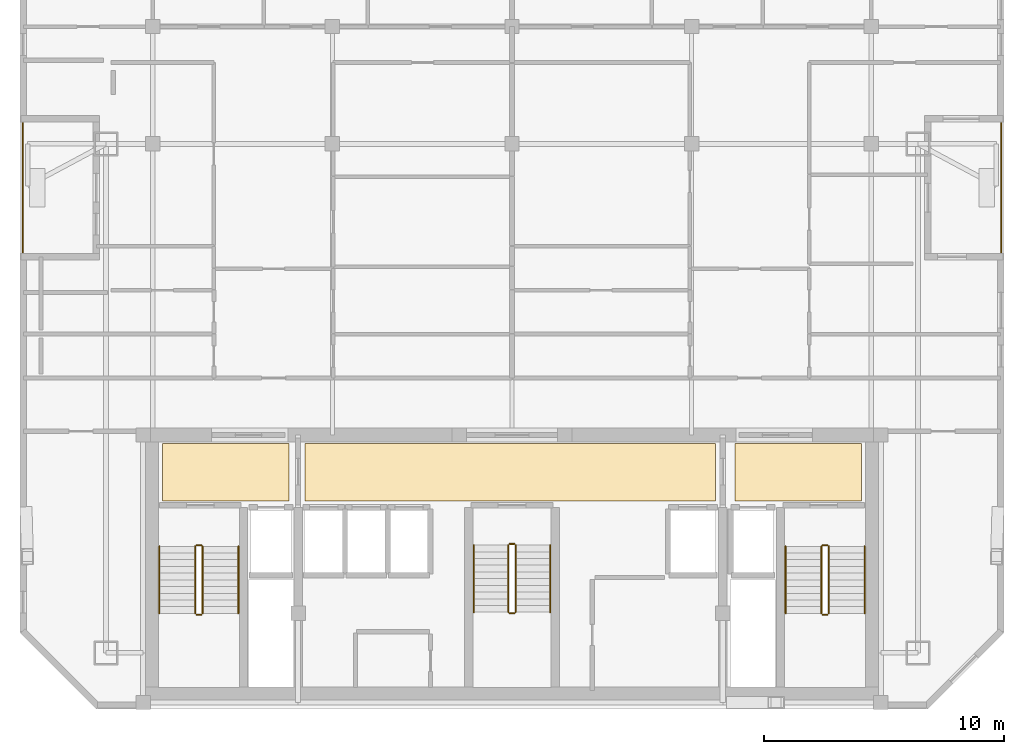
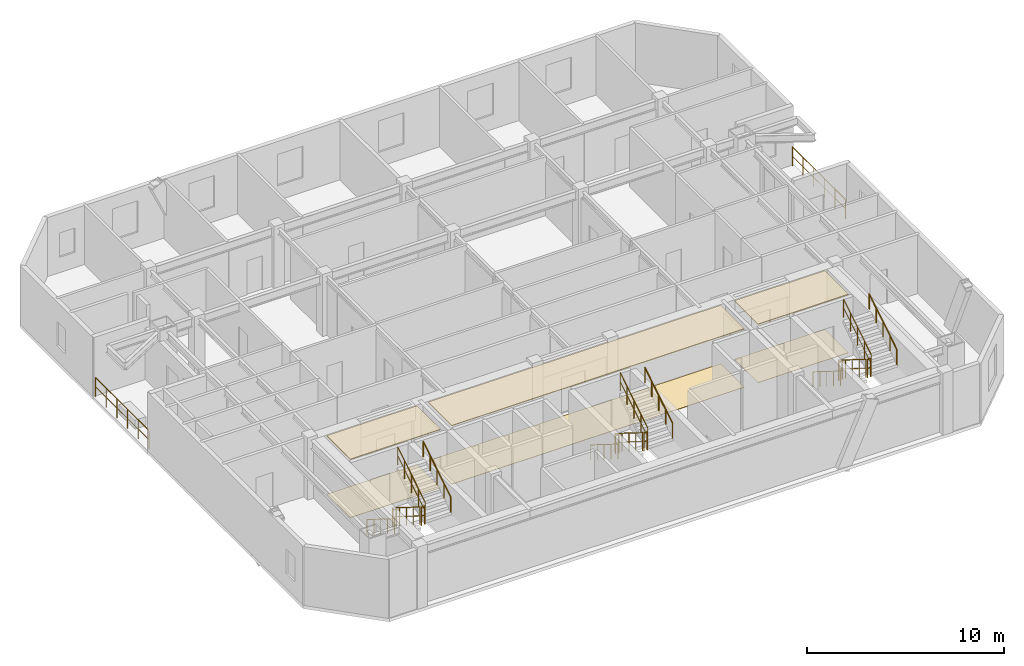
# One storey, part 7 of 7: 20 railings, 6 coverings.
"""IFC4 building model written with IfcOpenShell, lengths in metres."""

from ifc_helpers import new_model, si_unit, direction, frame, origin, origin_2d, place, context, subcontext, project, spatial, polyline, circle, outline, extrude, material, layer, layer_set, type_object, element, save


model = new_model("IFC4")

# Units and contexts
model_context = context("Model", 3, precision=1e-05, world=origin(), true_north=direction((0.0, 1.0)))
body_context = subcontext(model_context, "Body", "Model", "MODEL_VIEW")
ifc_project = project(units=[si_unit("LENGTHUNIT", "METRE"), si_unit("AREAUNIT", "SQUARE_METRE"), si_unit("VOLUMEUNIT", "CUBIC_METRE"), si_unit("PLANEANGLEUNIT", "RADIAN"), si_unit("MASSUNIT", "GRAM", prefix="KILO")], contexts=[model_context])

# Site, building, storey
site_placement = place(None, origin())
site = spatial("IfcSite", under=ifc_project, at=site_placement, CompositionType="ELEMENT")
building_placement = place(site_placement, origin())
building = spatial("IfcBuilding", under=site, at=building_placement, Name="Ventersveld Concourse Tower", CompositionType="ELEMENT")
storey_placement = place(building_placement, frame((0.0, 0.0, 272.14990234375)))
storey = spatial("IfcBuildingStorey", under=building, at=storey_placement, Name="L67", CompositionType="ELEMENT", Elevation=272.14990234375)

# Coverings
ifc_material_1 = material(Name="Mineral-fibre acoustic ceiling tile", Category="gypsum")
ifc_layer_1 = layer(ifc_material_1, 0.0400390625)
ifc_layer_set_1 = layer_set([ifc_layer_1], Name="Mineral-fibre acoustic ceiling tile")
covering_type_1 = type_object("IfcCoveringType", Name="COV-CEIL-ACOUSTIC", PredefinedType="CEILING", material=ifc_layer_set_1)
covering_1_placement = place(storey_placement, frame((0.0, 0.0, 3.610107421875)))
element("IfcCovering", 1, at=covering_1_placement, inside=storey, type_object=covering_type_1, Name="L67 North Lift Lobby Acoustic Ceiling", PredefinedType="CEILING", context=body_context, shape_type="SweptSolid", body=[
    extrude(outline(polyline([(20.10009765625, 8.699951171875), (37.25, 8.699951171875), (37.25, 11.10009765625), (20.10009765625, 11.10009765625), (20.10009765625, 8.699951171875)])), origin(), (0.0, 0.0, 1.0), 0.0400390625),
])
covering_2_placement = place(storey_placement, frame((0.0, 0.0, 3.610107421875)))
element("IfcCovering", 2, at=covering_2_placement, inside=storey, type_object=covering_type_1, Name="L67 West Firefighting Lobby Acoustic Ceiling", PredefinedType="CEILING", context=body_context, shape_type="SweptSolid", body=[
    extrude(outline(polyline([(14.14990234375, 8.699951171875), (19.449951171875, 8.699951171875), (19.449951171875, 11.10009765625), (14.14990234375, 11.10009765625), (14.14990234375, 8.699951171875)])), origin(), (0.0, 0.0, 1.0), 0.0400390625),
])
covering_3_placement = place(storey_placement, frame((0.0, 0.0, 3.610107421875)))
element("IfcCovering", 3, at=covering_3_placement, inside=storey, type_object=covering_type_1, Name="L67 East Firefighting Lobby Acoustic Ceiling", PredefinedType="CEILING", context=body_context, shape_type="SweptSolid", body=[
    extrude(outline(polyline([(38.050048828125, 8.699951171875), (43.35009765625, 8.699951171875), (43.35009765625, 11.10009765625), (38.050048828125, 11.10009765625), (38.050048828125, 8.699951171875)])), origin(), (0.0, 0.0, 1.0), 0.0400390625),
])
ifc_material_2 = material(Name="Polished Highveld granite terrazzo", Category="masonry")
ifc_layer_2 = layer(ifc_material_2, 0.02001953125)
ifc_layer_set_2 = layer_set([ifc_layer_2], Name="Polished Highveld granite terrazzo")
covering_type_2 = type_object("IfcCoveringType", Name="COV-FLOOR-TERRAZZO", PredefinedType="FLOORING", material=ifc_layer_set_2)
covering_4_placement = place(storey_placement, origin())
element("IfcCovering", 4, at=covering_4_placement, inside=storey, type_object=covering_type_2, Name="L67 North Lift Lobby Terrazzo Flooring", PredefinedType="FLOORING", context=body_context, shape_type="SweptSolid", body=[
    extrude(outline(polyline([(20.10009765625, 8.699951171875), (37.25, 8.699951171875), (37.25, 11.10009765625), (20.10009765625, 11.10009765625), (20.10009765625, 8.699951171875)])), origin(), (0.0, 0.0, 1.0), 0.02001953125),
])
covering_5_placement = place(storey_placement, origin())
element("IfcCovering", 5, at=covering_5_placement, inside=storey, type_object=covering_type_2, Name="L67 West Firefighting Lobby Terrazzo Flooring", PredefinedType="FLOORING", context=body_context, shape_type="SweptSolid", body=[
    extrude(outline(polyline([(14.14990234375, 8.699951171875), (19.449951171875, 8.699951171875), (19.449951171875, 11.10009765625), (14.14990234375, 11.10009765625), (14.14990234375, 8.699951171875)])), origin(), (0.0, 0.0, 1.0), 0.02001953125),
])
covering_6_placement = place(storey_placement, origin())
element("IfcCovering", 6, at=covering_6_placement, inside=storey, type_object=covering_type_2, Name="L67 East Firefighting Lobby Terrazzo Flooring", PredefinedType="FLOORING", context=body_context, shape_type="SweptSolid", body=[
    extrude(outline(polyline([(38.050048828125, 8.699951171875), (43.35009765625, 8.699951171875), (43.35009765625, 11.10009765625), (38.050048828125, 11.10009765625), (38.050048828125, 8.699951171875)])), origin(), (0.0, 0.0, 1.0), 0.02001953125),
])

# Railings
ifc_material_3 = material(Name="Brushed stainless steel 316", Category="steel")
railing_type_1 = type_object("IfcRailingType", Name="GD-BAL-115", PredefinedType="GUARDRAIL", material=ifc_material_3)
railing_1_placement = place(storey_placement, frame((15.530029296875, 6.800048828125, 0.175048828125)))
element("IfcRailing", 7, at=railing_1_placement, inside=storey, type_object=railing_type_1, Name="L67 ST-01 stair guard 1", PredefinedType="GUARDRAIL", context=body_context, shape_type="SweptSolid", body=[
    extrude(circle(Radius=0.02392578125, at=origin_2d()), frame((0.0, 0.0, 1.1259765625), z_axis=(0.0, -0.848002457836, 0.529992293815), x_axis=(1.0, 0.0, 0.0)), (0.0, 0.0, 1.0), 3.302001953125),
    extrude(circle(Radius=0.01611328125, at=origin_2d()), frame((0.0, 0.0, 0.574951171875), z_axis=(0.0, -0.848002457836, 0.529992293815), x_axis=(1.0, 0.0, 0.0)), (0.0, 0.0, 1.0), 3.302001953125),
    extrude(circle(Radius=0.02099609375, at=origin_2d()), origin(), (0.0, 0.0, 1.0), 1.101806640625),
    extrude(circle(Radius=0.02099609375, at=origin_2d()), frame((0.0, -0.699951171875, 0.4375)), (0.0, 0.0, 1.0), 1.101806640625),
    extrude(circle(Radius=0.02099609375, at=origin_2d()), frame((0.0, -1.39990234375, 0.875)), (0.0, 0.0, 1.0), 1.101806640625),
    extrude(circle(Radius=0.02099609375, at=origin_2d()), frame((0.0, -2.10009765625, 1.3125)), (0.0, 0.0, 1.0), 1.101806640625),
    extrude(circle(Radius=0.02099609375, at=origin_2d()), frame((0.0, -2.800048828125, 1.75)), (0.0, 0.0, 1.0), 1.101806640625),
])
railing_2_placement = place(storey_placement, frame((15.580078125, 3.949951171875, 1.925048828125)))
element("IfcRailing", 8, at=railing_2_placement, inside=storey, type_object=railing_type_1, Name="L67 ST-01 stair guard 2", PredefinedType="GUARDRAIL", context=body_context, shape_type="SweptSolid", body=[
    extrude(circle(Radius=0.02392578125, at=origin_2d()), frame((0.0, 0.0, 1.1259765625), z_axis=(1.0, 0.0, 0.0), x_axis=(0.0, 1.0, 0.0)), (0.0, 0.0, 1.0), 0.199951171875),
    extrude(circle(Radius=0.01611328125, at=origin_2d()), frame((0.0, 0.0, 0.574951171875), z_axis=(1.0, 0.0, 0.0), x_axis=(0.0, 1.0, 0.0)), (0.0, 0.0, 1.0), 0.199951171875),
    extrude(circle(Radius=0.02099609375, at=origin_2d()), origin(), (0.0, 0.0, 1.0), 1.101806640625),
    extrude(circle(Radius=0.02099609375, at=origin_2d()), frame((0.199951171875, 0.0, 0.0)), (0.0, 0.0, 1.0), 1.101806640625),
])
railing_3_placement = place(storey_placement, frame((15.830078125, 4.0, 2.10009765625)))
element("IfcRailing", 9, at=railing_3_placement, inside=storey, type_object=railing_type_1, Name="L67 ST-01 stair guard 3", PredefinedType="GUARDRAIL", context=body_context, shape_type="SweptSolid", body=[
    extrude(circle(Radius=0.02392578125, at=origin_2d()), frame((0.0, 0.0, 1.1259765625), z_axis=(0.0, 0.848002457836, 0.529992293815), x_axis=(-1.0, 0.0, 0.0)), (0.0, 0.0, 1.0), 3.302001953125),
    extrude(circle(Radius=0.01611328125, at=origin_2d()), frame((0.0, 0.0, 0.574951171875), z_axis=(0.0, 0.848002457836, 0.529992293815), x_axis=(-1.0, 0.0, 0.0)), (0.0, 0.0, 1.0), 3.302001953125),
    extrude(circle(Radius=0.02099609375, at=origin_2d()), origin(), (0.0, 0.0, 1.0), 1.101806640625),
    extrude(circle(Radius=0.02099609375, at=origin_2d()), frame((0.0, 0.699951171875, 0.4375)), (0.0, 0.0, 1.0), 1.101806640625),
    extrude(circle(Radius=0.02099609375, at=origin_2d()), frame((0.0, 1.39990234375, 0.875)), (0.0, 0.0, 1.0), 1.101806640625),
    extrude(circle(Radius=0.02099609375, at=origin_2d()), frame((0.0, 2.10009765625, 1.3125)), (0.0, 0.0, 1.0), 1.101806640625),
    extrude(circle(Radius=0.02099609375, at=origin_2d()), frame((0.0, 2.800048828125, 1.75)), (0.0, 0.0, 1.0), 1.101806640625),
])
railing_4_placement = place(storey_placement, frame((15.580078125, 6.85009765625, 0.0)))
element("IfcRailing", 10, at=railing_4_placement, inside=storey, type_object=railing_type_1, Name="L67 ST-01 stair guard 4", PredefinedType="GUARDRAIL", context=body_context, shape_type="SweptSolid", body=[
    extrude(circle(Radius=0.02392578125, at=origin_2d()), frame((0.0, 0.0, 1.1259765625), z_axis=(1.0, 0.0, 0.0), x_axis=(0.0, 1.0, 0.0)), (0.0, 0.0, 1.0), 0.199951171875),
    extrude(circle(Radius=0.01611328125, at=origin_2d()), frame((0.0, 0.0, 0.574951171875), z_axis=(1.0, 0.0, 0.0), x_axis=(0.0, 1.0, 0.0)), (0.0, 0.0, 1.0), 0.199951171875),
    extrude(circle(Radius=0.02099609375, at=origin_2d()), origin(), (0.0, 0.0, 1.0), 1.101806640625),
    extrude(circle(Radius=0.02099609375, at=origin_2d()), frame((0.199951171875, 0.0, 0.0)), (0.0, 0.0, 1.0), 1.101806640625),
])
railing_5_placement = place(storey_placement, frame((41.669921875, 6.800048828125, 0.175048828125)))
element("IfcRailing", 11, at=railing_5_placement, inside=storey, type_object=railing_type_1, Name="L67 ST-02 stair guard 1", PredefinedType="GUARDRAIL", context=body_context, shape_type="SweptSolid", body=[
    extrude(circle(Radius=0.02392578125, at=origin_2d()), frame((0.0, 0.0, 1.1259765625), z_axis=(0.0, -0.848002457836, 0.529992293815), x_axis=(1.0, 0.0, 0.0)), (0.0, 0.0, 1.0), 3.302001953125),
    extrude(circle(Radius=0.01611328125, at=origin_2d()), frame((0.0, 0.0, 0.574951171875), z_axis=(0.0, -0.848002457836, 0.529992293815), x_axis=(1.0, 0.0, 0.0)), (0.0, 0.0, 1.0), 3.302001953125),
    extrude(circle(Radius=0.02099609375, at=origin_2d()), origin(), (0.0, 0.0, 1.0), 1.101806640625),
    extrude(circle(Radius=0.02099609375, at=origin_2d()), frame((0.0, -0.699951171875, 0.4375)), (0.0, 0.0, 1.0), 1.101806640625),
    extrude(circle(Radius=0.02099609375, at=origin_2d()), frame((0.0, -1.39990234375, 0.875)), (0.0, 0.0, 1.0), 1.101806640625),
    extrude(circle(Radius=0.02099609375, at=origin_2d()), frame((0.0, -2.10009765625, 1.3125)), (0.0, 0.0, 1.0), 1.101806640625),
    extrude(circle(Radius=0.02099609375, at=origin_2d()), frame((0.0, -2.800048828125, 1.75)), (0.0, 0.0, 1.0), 1.101806640625),
])
railing_6_placement = place(storey_placement, frame((41.719970703125, 3.949951171875, 1.925048828125)))
element("IfcRailing", 12, at=railing_6_placement, inside=storey, type_object=railing_type_1, Name="L67 ST-02 stair guard 2", PredefinedType="GUARDRAIL", context=body_context, shape_type="SweptSolid", body=[
    extrude(circle(Radius=0.02392578125, at=origin_2d()), frame((0.0, 0.0, 1.1259765625), z_axis=(1.0, 0.0, 0.0), x_axis=(0.0, 1.0, 0.0)), (0.0, 0.0, 1.0), 0.199951171875),
    extrude(circle(Radius=0.01611328125, at=origin_2d()), frame((0.0, 0.0, 0.574951171875), z_axis=(1.0, 0.0, 0.0), x_axis=(0.0, 1.0, 0.0)), (0.0, 0.0, 1.0), 0.199951171875),
    extrude(circle(Radius=0.02099609375, at=origin_2d()), origin(), (0.0, 0.0, 1.0), 1.101806640625),
    extrude(circle(Radius=0.02099609375, at=origin_2d()), frame((0.199951171875, 0.0, 0.0)), (0.0, 0.0, 1.0), 1.101806640625),
])
railing_7_placement = place(storey_placement, frame((41.969970703125, 4.0, 2.10009765625)))
element("IfcRailing", 13, at=railing_7_placement, inside=storey, type_object=railing_type_1, Name="L67 ST-02 stair guard 3", PredefinedType="GUARDRAIL", context=body_context, shape_type="SweptSolid", body=[
    extrude(circle(Radius=0.02392578125, at=origin_2d()), frame((0.0, 0.0, 1.1259765625), z_axis=(0.0, 0.848002457836, 0.529992293815), x_axis=(-1.0, 0.0, 0.0)), (0.0, 0.0, 1.0), 3.302001953125),
    extrude(circle(Radius=0.01611328125, at=origin_2d()), frame((0.0, 0.0, 0.574951171875), z_axis=(0.0, 0.848002457836, 0.529992293815), x_axis=(-1.0, 0.0, 0.0)), (0.0, 0.0, 1.0), 3.302001953125),
    extrude(circle(Radius=0.02099609375, at=origin_2d()), origin(), (0.0, 0.0, 1.0), 1.101806640625),
    extrude(circle(Radius=0.02099609375, at=origin_2d()), frame((0.0, 0.699951171875, 0.4375)), (0.0, 0.0, 1.0), 1.101806640625),
    extrude(circle(Radius=0.02099609375, at=origin_2d()), frame((0.0, 1.39990234375, 0.875)), (0.0, 0.0, 1.0), 1.101806640625),
    extrude(circle(Radius=0.02099609375, at=origin_2d()), frame((0.0, 2.10009765625, 1.3125)), (0.0, 0.0, 1.0), 1.101806640625),
    extrude(circle(Radius=0.02099609375, at=origin_2d()), frame((0.0, 2.800048828125, 1.75)), (0.0, 0.0, 1.0), 1.101806640625),
])
railing_8_placement = place(storey_placement, frame((41.719970703125, 6.85009765625, 0.0)))
element("IfcRailing", 14, at=railing_8_placement, inside=storey, type_object=railing_type_1, Name="L67 ST-02 stair guard 4", PredefinedType="GUARDRAIL", context=body_context, shape_type="SweptSolid", body=[
    extrude(circle(Radius=0.02392578125, at=origin_2d()), frame((0.0, 0.0, 1.1259765625), z_axis=(1.0, 0.0, 0.0), x_axis=(0.0, 1.0, 0.0)), (0.0, 0.0, 1.0), 0.199951171875),
    extrude(circle(Radius=0.01611328125, at=origin_2d()), frame((0.0, 0.0, 0.574951171875), z_axis=(1.0, 0.0, 0.0), x_axis=(0.0, 1.0, 0.0)), (0.0, 0.0, 1.0), 0.199951171875),
    extrude(circle(Radius=0.02099609375, at=origin_2d()), origin(), (0.0, 0.0, 1.0), 1.101806640625),
    extrude(circle(Radius=0.02099609375, at=origin_2d()), frame((0.199951171875, 0.0, 0.0)), (0.0, 0.0, 1.0), 1.101806640625),
])
railing_9_placement = place(storey_placement, frame((28.60009765625, 6.85009765625, 0.175048828125)))
element("IfcRailing", 15, at=railing_9_placement, inside=storey, type_object=railing_type_1, Name="L67 ST-03 stair guard 1", PredefinedType="GUARDRAIL", context=body_context, shape_type="SweptSolid", body=[
    extrude(circle(Radius=0.02392578125, at=origin_2d()), frame((0.0, 0.0, 1.1259765625), z_axis=(0.0, -0.848002457836, 0.529992293815), x_axis=(1.0, 0.0, 0.0)), (0.0, 0.0, 1.0), 3.302001953125),
    extrude(circle(Radius=0.01611328125, at=origin_2d()), frame((0.0, 0.0, 0.574951171875), z_axis=(0.0, -0.848002457836, 0.529992293815), x_axis=(1.0, 0.0, 0.0)), (0.0, 0.0, 1.0), 3.302001953125),
    extrude(circle(Radius=0.02099609375, at=origin_2d()), origin(), (0.0, 0.0, 1.0), 1.101806640625),
    extrude(circle(Radius=0.02099609375, at=origin_2d()), frame((0.0, -0.699951171875, 0.4375)), (0.0, 0.0, 1.0), 1.101806640625),
    extrude(circle(Radius=0.02099609375, at=origin_2d()), frame((0.0, -1.39990234375, 0.875)), (0.0, 0.0, 1.0), 1.101806640625),
    extrude(circle(Radius=0.02099609375, at=origin_2d()), frame((0.0, -2.10009765625, 1.3125)), (0.0, 0.0, 1.0), 1.101806640625),
    extrude(circle(Radius=0.02099609375, at=origin_2d()), frame((0.0, -2.800048828125, 1.75)), (0.0, 0.0, 1.0), 1.101806640625),
])
railing_10_placement = place(storey_placement, frame((28.64990234375, 4.0, 1.925048828125)))
element("IfcRailing", 16, at=railing_10_placement, inside=storey, type_object=railing_type_1, Name="L67 ST-03 stair guard 2", PredefinedType="GUARDRAIL", context=body_context, shape_type="SweptSolid", body=[
    extrude(circle(Radius=0.02392578125, at=origin_2d()), frame((0.0, 0.0, 1.1259765625), z_axis=(1.0, 0.0, 0.0), x_axis=(0.0, 1.0, 0.0)), (0.0, 0.0, 1.0), 0.2001953125),
    extrude(circle(Radius=0.01611328125, at=origin_2d()), frame((0.0, 0.0, 0.574951171875), z_axis=(1.0, 0.0, 0.0), x_axis=(0.0, 1.0, 0.0)), (0.0, 0.0, 1.0), 0.2001953125),
    extrude(circle(Radius=0.02099609375, at=origin_2d()), origin(), (0.0, 0.0, 1.0), 1.101806640625),
    extrude(circle(Radius=0.02099609375, at=origin_2d()), frame((0.2001953125, 0.0, 0.0)), (0.0, 0.0, 1.0), 1.101806640625),
])
railing_11_placement = place(storey_placement, frame((28.89990234375, 4.050048828125, 2.10009765625)))
element("IfcRailing", 17, at=railing_11_placement, inside=storey, type_object=railing_type_1, Name="L67 ST-03 stair guard 3", PredefinedType="GUARDRAIL", context=body_context, shape_type="SweptSolid", body=[
    extrude(circle(Radius=0.02392578125, at=origin_2d()), frame((0.0, 0.0, 1.1259765625), z_axis=(0.0, 0.848002457836, 0.529992293815), x_axis=(-1.0, 0.0, 0.0)), (0.0, 0.0, 1.0), 3.302001953125),
    extrude(circle(Radius=0.01611328125, at=origin_2d()), frame((0.0, 0.0, 0.574951171875), z_axis=(0.0, 0.848002457836, 0.529992293815), x_axis=(-1.0, 0.0, 0.0)), (0.0, 0.0, 1.0), 3.302001953125),
    extrude(circle(Radius=0.02099609375, at=origin_2d()), origin(), (0.0, 0.0, 1.0), 1.101806640625),
    extrude(circle(Radius=0.02099609375, at=origin_2d()), frame((0.0, 0.699951171875, 0.4375)), (0.0, 0.0, 1.0), 1.101806640625),
    extrude(circle(Radius=0.02099609375, at=origin_2d()), frame((0.0, 1.39990234375, 0.875)), (0.0, 0.0, 1.0), 1.101806640625),
    extrude(circle(Radius=0.02099609375, at=origin_2d()), frame((0.0, 2.10009765625, 1.3125)), (0.0, 0.0, 1.0), 1.101806640625),
    extrude(circle(Radius=0.02099609375, at=origin_2d()), frame((0.0, 2.800048828125, 1.75)), (0.0, 0.0, 1.0), 1.101806640625),
])
railing_12_placement = place(storey_placement, frame((28.64990234375, 6.89990234375, 0.0)))
element("IfcRailing", 18, at=railing_12_placement, inside=storey, type_object=railing_type_1, Name="L67 ST-03 stair guard 4", PredefinedType="GUARDRAIL", context=body_context, shape_type="SweptSolid", body=[
    extrude(circle(Radius=0.02392578125, at=origin_2d()), frame((0.0, 0.0, 1.1259765625), z_axis=(1.0, 0.0, 0.0), x_axis=(0.0, 1.0, 0.0)), (0.0, 0.0, 1.0), 0.2001953125),
    extrude(circle(Radius=0.01611328125, at=origin_2d()), frame((0.0, 0.0, 0.574951171875), z_axis=(1.0, 0.0, 0.0), x_axis=(0.0, 1.0, 0.0)), (0.0, 0.0, 1.0), 0.2001953125),
    extrude(circle(Radius=0.02099609375, at=origin_2d()), origin(), (0.0, 0.0, 1.0), 1.101806640625),
    extrude(circle(Radius=0.02099609375, at=origin_2d()), frame((0.2001953125, 0.0, 0.0)), (0.0, 0.0, 1.0), 1.101806640625),
])
railing_type_2 = type_object("IfcRailingType", Name="GD-TER-120", PredefinedType="GUARDRAIL", material=ifc_material_3)
for number, where, name in (
    (19, (8.330810546875, 19.072021484375, 0.0), "L67 Outdoor Terrace Guardrail NOTCH-W"),
    (20, (49.169189453125, 19.072021484375, 0.0), "L67 Outdoor Terrace Guardrail NOTCH-E"),
):
    element("IfcRailing", number, at=place(storey_placement, frame(where)), inside=storey, type_object=railing_type_2, Name=name, PredefinedType="GUARDRAIL", context=body_context, shape_type="SweptSolid", body=[
        extrude(circle(Radius=0.02392578125, at=origin_2d()), frame((0.0, 0.0, 1.17578125), z_axis=(0.0, 1.0, 0.0), x_axis=(-1.0, 0.0, 0.0)), (0.0, 0.0, 1.0), 5.39990234375),
        extrude(circle(Radius=0.01611328125, at=origin_2d()), frame((0.0, 0.0, 0.60009765625), z_axis=(0.0, 1.0, 0.0), x_axis=(-1.0, 0.0, 0.0)), (0.0, 0.0, 1.0), 5.39990234375),
        extrude(circle(Radius=0.02099609375, at=origin_2d()), origin(), (0.0, 0.0, 1.0), 1.15185546875),
        extrude(circle(Radius=0.02099609375, at=origin_2d()), frame((0.0, 1.080078125, 0.0)), (0.0, 0.0, 1.0), 1.15185546875),
        extrude(circle(Radius=0.02099609375, at=origin_2d()), frame((0.0, 2.159912109375, 0.0)), (0.0, 0.0, 1.0), 1.15185546875),
        extrude(circle(Radius=0.02099609375, at=origin_2d()), frame((0.0, 3.239990234375, 0.0)), (0.0, 0.0, 1.0), 1.15185546875),
        extrude(circle(Radius=0.02099609375, at=origin_2d()), frame((0.0, 4.31982421875, 0.0)), (0.0, 0.0, 1.0), 1.15185546875),
        extrude(circle(Radius=0.02099609375, at=origin_2d()), frame((0.0, 5.39990234375, 0.0)), (0.0, 0.0, 1.0), 1.15185546875),
    ])
railing_type_3 = type_object("IfcRailingType", Name="HR-RMP-095", PredefinedType="HANDRAIL", material=ifc_material_3)
railing_13_placement = place(storey_placement, frame((14.030029296875, 6.800048828125, 0.175048828125)))
element("IfcRailing", 21, at=railing_13_placement, inside=storey, type_object=railing_type_3, Name="L67 ST-01 stair handrail 1", PredefinedType="HANDRAIL", context=body_context, shape_type="SweptSolid", body=[
    extrude(circle(Radius=0.02392578125, at=origin_2d()), frame((0.0, 0.0, 0.92578125), z_axis=(0.0, -0.848002457836, 0.529992293815), x_axis=(1.0, 0.0, 0.0)), (0.0, 0.0, 1.0), 3.302001953125),
    extrude(circle(Radius=0.02099609375, at=origin_2d()), origin(), (0.0, 0.0, 1.0), 0.90185546875),
    extrude(circle(Radius=0.02099609375, at=origin_2d()), frame((0.0, -0.699951171875, 0.4375)), (0.0, 0.0, 1.0), 0.90185546875),
    extrude(circle(Radius=0.02099609375, at=origin_2d()), frame((0.0, -1.39990234375, 0.875)), (0.0, 0.0, 1.0), 0.90185546875),
    extrude(circle(Radius=0.02099609375, at=origin_2d()), frame((0.0, -2.10009765625, 1.3125)), (0.0, 0.0, 1.0), 0.90185546875),
    extrude(circle(Radius=0.02099609375, at=origin_2d()), frame((0.0, -2.800048828125, 1.75)), (0.0, 0.0, 1.0), 0.90185546875),
])
railing_14_placement = place(storey_placement, frame((17.330078125, 4.0, 2.10009765625)))
element("IfcRailing", 22, at=railing_14_placement, inside=storey, type_object=railing_type_3, Name="L67 ST-01 stair handrail 2", PredefinedType="HANDRAIL", context=body_context, shape_type="SweptSolid", body=[
    extrude(circle(Radius=0.02392578125, at=origin_2d()), frame((0.0, 0.0, 0.92578125), z_axis=(0.0, 0.848002457836, 0.529992293815), x_axis=(-1.0, 0.0, 0.0)), (0.0, 0.0, 1.0), 3.302001953125),
    extrude(circle(Radius=0.02099609375, at=origin_2d()), origin(), (0.0, 0.0, 1.0), 0.90185546875),
    extrude(circle(Radius=0.02099609375, at=origin_2d()), frame((0.0, 0.699951171875, 0.4375)), (0.0, 0.0, 1.0), 0.90185546875),
    extrude(circle(Radius=0.02099609375, at=origin_2d()), frame((0.0, 1.39990234375, 0.875)), (0.0, 0.0, 1.0), 0.90185546875),
    extrude(circle(Radius=0.02099609375, at=origin_2d()), frame((0.0, 2.10009765625, 1.3125)), (0.0, 0.0, 1.0), 0.90185546875),
    extrude(circle(Radius=0.02099609375, at=origin_2d()), frame((0.0, 2.800048828125, 1.75)), (0.0, 0.0, 1.0), 0.90185546875),
])
railing_15_placement = place(storey_placement, frame((40.169921875, 6.800048828125, 0.175048828125)))
element("IfcRailing", 23, at=railing_15_placement, inside=storey, type_object=railing_type_3, Name="L67 ST-02 stair handrail 1", PredefinedType="HANDRAIL", context=body_context, shape_type="SweptSolid", body=[
    extrude(circle(Radius=0.02392578125, at=origin_2d()), frame((0.0, 0.0, 0.92578125), z_axis=(0.0, -0.848002457836, 0.529992293815), x_axis=(1.0, 0.0, 0.0)), (0.0, 0.0, 1.0), 3.302001953125),
    extrude(circle(Radius=0.02099609375, at=origin_2d()), origin(), (0.0, 0.0, 1.0), 0.90185546875),
    extrude(circle(Radius=0.02099609375, at=origin_2d()), frame((0.0, -0.699951171875, 0.4375)), (0.0, 0.0, 1.0), 0.90185546875),
    extrude(circle(Radius=0.02099609375, at=origin_2d()), frame((0.0, -1.39990234375, 0.875)), (0.0, 0.0, 1.0), 0.90185546875),
    extrude(circle(Radius=0.02099609375, at=origin_2d()), frame((0.0, -2.10009765625, 1.3125)), (0.0, 0.0, 1.0), 0.90185546875),
    extrude(circle(Radius=0.02099609375, at=origin_2d()), frame((0.0, -2.800048828125, 1.75)), (0.0, 0.0, 1.0), 0.90185546875),
])
railing_16_placement = place(storey_placement, frame((43.469970703125, 4.0, 2.10009765625)))
element("IfcRailing", 24, at=railing_16_placement, inside=storey, type_object=railing_type_3, Name="L67 ST-02 stair handrail 2", PredefinedType="HANDRAIL", context=body_context, shape_type="SweptSolid", body=[
    extrude(circle(Radius=0.02392578125, at=origin_2d()), frame((0.0, 0.0, 0.92578125), z_axis=(0.0, 0.848002457836, 0.529992293815), x_axis=(-1.0, 0.0, 0.0)), (0.0, 0.0, 1.0), 3.302001953125),
    extrude(circle(Radius=0.02099609375, at=origin_2d()), origin(), (0.0, 0.0, 1.0), 0.90185546875),
    extrude(circle(Radius=0.02099609375, at=origin_2d()), frame((0.0, 0.699951171875, 0.4375)), (0.0, 0.0, 1.0), 0.90185546875),
    extrude(circle(Radius=0.02099609375, at=origin_2d()), frame((0.0, 1.39990234375, 0.875)), (0.0, 0.0, 1.0), 0.90185546875),
    extrude(circle(Radius=0.02099609375, at=origin_2d()), frame((0.0, 2.10009765625, 1.3125)), (0.0, 0.0, 1.0), 0.90185546875),
    extrude(circle(Radius=0.02099609375, at=origin_2d()), frame((0.0, 2.800048828125, 1.75)), (0.0, 0.0, 1.0), 0.90185546875),
])
railing_17_placement = place(storey_placement, frame((27.14990234375, 6.85009765625, 0.175048828125)))
element("IfcRailing", 25, at=railing_17_placement, inside=storey, type_object=railing_type_3, Name="L67 ST-03 stair handrail 1", PredefinedType="HANDRAIL", context=body_context, shape_type="SweptSolid", body=[
    extrude(circle(Radius=0.02392578125, at=origin_2d()), frame((0.0, 0.0, 0.92578125), z_axis=(0.0, -0.848002457836, 0.529992293815), x_axis=(1.0, 0.0, 0.0)), (0.0, 0.0, 1.0), 3.302001953125),
    extrude(circle(Radius=0.02099609375, at=origin_2d()), origin(), (0.0, 0.0, 1.0), 0.90185546875),
    extrude(circle(Radius=0.02099609375, at=origin_2d()), frame((0.0, -0.699951171875, 0.4375)), (0.0, 0.0, 1.0), 0.90185546875),
    extrude(circle(Radius=0.02099609375, at=origin_2d()), frame((0.0, -1.39990234375, 0.875)), (0.0, 0.0, 1.0), 0.90185546875),
    extrude(circle(Radius=0.02099609375, at=origin_2d()), frame((0.0, -2.10009765625, 1.3125)), (0.0, 0.0, 1.0), 0.90185546875),
    extrude(circle(Radius=0.02099609375, at=origin_2d()), frame((0.0, -2.800048828125, 1.75)), (0.0, 0.0, 1.0), 0.90185546875),
])
railing_18_placement = place(storey_placement, frame((30.35009765625, 4.050048828125, 2.10009765625)))
element("IfcRailing", 26, at=railing_18_placement, inside=storey, type_object=railing_type_3, Name="L67 ST-03 stair handrail 2", PredefinedType="HANDRAIL", context=body_context, shape_type="SweptSolid", body=[
    extrude(circle(Radius=0.02392578125, at=origin_2d()), frame((0.0, 0.0, 0.92578125), z_axis=(0.0, 0.848002457836, 0.529992293815), x_axis=(-1.0, 0.0, 0.0)), (0.0, 0.0, 1.0), 3.302001953125),
    extrude(circle(Radius=0.02099609375, at=origin_2d()), origin(), (0.0, 0.0, 1.0), 0.90185546875),
    extrude(circle(Radius=0.02099609375, at=origin_2d()), frame((0.0, 0.699951171875, 0.4375)), (0.0, 0.0, 1.0), 0.90185546875),
    extrude(circle(Radius=0.02099609375, at=origin_2d()), frame((0.0, 1.39990234375, 0.875)), (0.0, 0.0, 1.0), 0.90185546875),
    extrude(circle(Radius=0.02099609375, at=origin_2d()), frame((0.0, 2.10009765625, 1.3125)), (0.0, 0.0, 1.0), 0.90185546875),
    extrude(circle(Radius=0.02099609375, at=origin_2d()), frame((0.0, 2.800048828125, 1.75)), (0.0, 0.0, 1.0), 0.90185546875),
])

save(model, "model.ifc")
